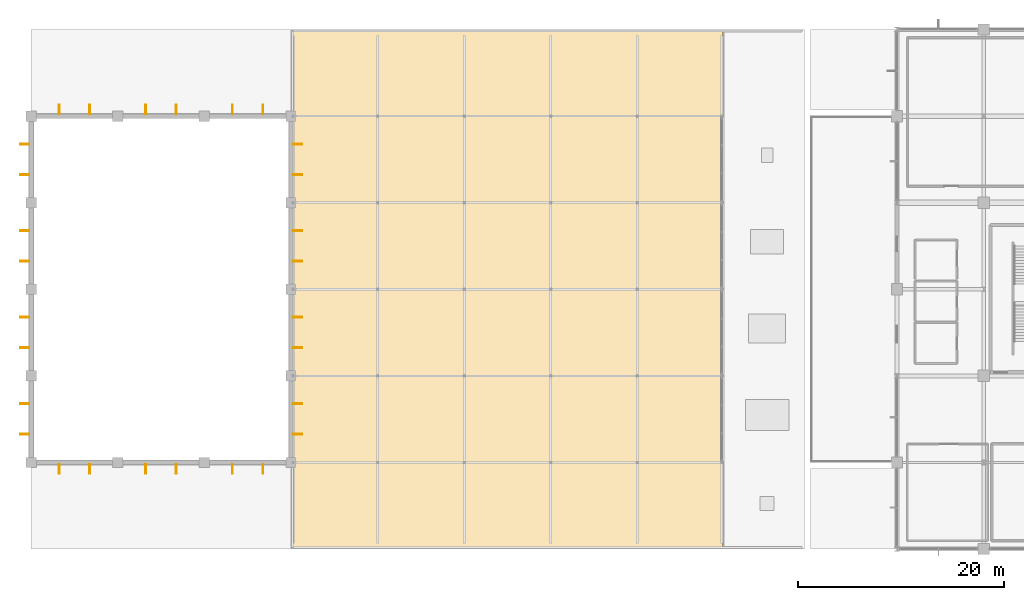
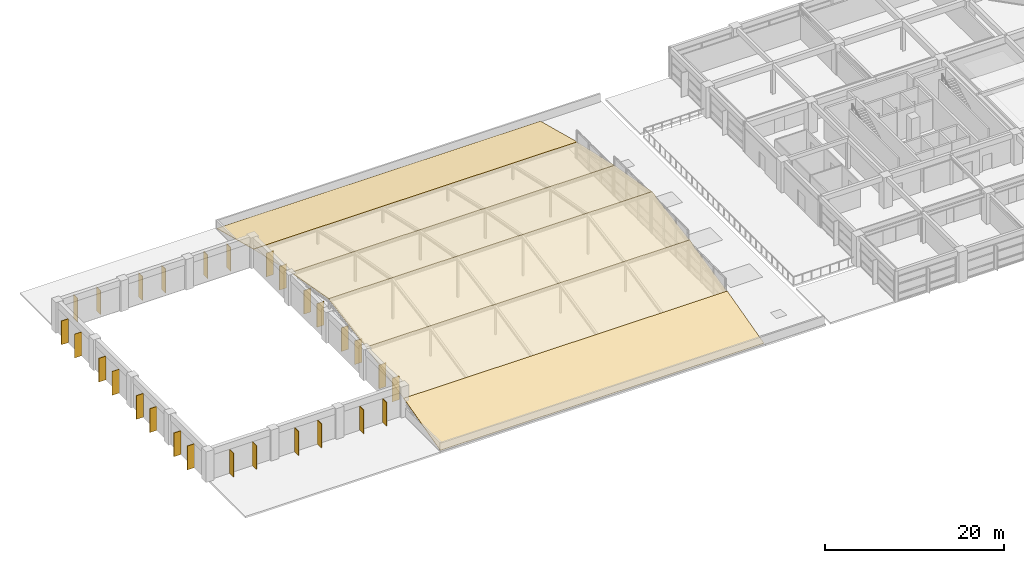
# One storey, part 33 of 34: 28 shading devices, 6 coverings.
"""IFC4 building model written with IfcOpenShell, lengths in metres."""

from ifc_helpers import new_model, si_unit, direction, frame, origin, origin_2d, place, context, subcontext, project, spatial, polyline, rectangle, outline, extrude, material, layer, layer_set, type_object, element, save


model = new_model("IFC4")

# Units and contexts
model_context = context("Model", 3, precision=1e-05, world=origin(), true_north=direction((0.0, 1.0)))
body_context = subcontext(model_context, "Body", "Model", "MODEL_VIEW")
ifc_project = project(units=[si_unit("LENGTHUNIT", "METRE"), si_unit("AREAUNIT", "SQUARE_METRE"), si_unit("VOLUMEUNIT", "CUBIC_METRE"), si_unit("PLANEANGLEUNIT", "RADIAN"), si_unit("MASSUNIT", "GRAM", prefix="KILO")], contexts=[model_context])

# Site, building, storey
site_placement = place(None, origin())
site = spatial("IfcSite", under=ifc_project, at=site_placement, CompositionType="ELEMENT")
building_placement = place(site_placement, origin())
building = spatial("IfcBuilding", under=site, at=building_placement, Name="Xuanlan Plaza Opera House", CompositionType="ELEMENT")
storey_placement = place(building_placement, frame((0.0, 0.0, 27.89990234375)))
storey = spatial("IfcBuildingStorey", under=building, at=storey_placement, Name="L06", CompositionType="ELEMENT", Elevation=27.89990234375)

# Coverings
ifc_material = material(Name="Anodised Aluminium 6063-T6", Category="aluminium")
ifc_layer = layer(ifc_material, 0.06005859375)
ifc_layer_set = layer_set([ifc_layer], Name="Anodised Aluminium 6063-T6")
covering_type = type_object("IfcCoveringType", Name="ENV-COV-RF01", PredefinedType="ROOFING", material=ifc_layer_set)
covering_1_placement = place(storey_placement, frame((67.300048828125, 33.800048828125, 0.06005859375), z_axis=(0.0, -0.252534477665, 0.967587896571), x_axis=(1.0, 0.0, 0.0)))
element("IfcCovering", 1, at=covering_1_placement, inside=storey, type_object=covering_type, Name="Auditorium Parabolic Silver-Champagne Shell Vault Facet 01", PredefinedType="ROOFING", context=body_context, shape_type="SweptSolid", body=[
    extrude(outline(polyline([(0.0, 0.0), (41.800048828, 0.0), (41.800048828, 8.474631815), (0.0, 8.474631815), (0.0, 0.0)])), origin(), (0.0, 0.0, -1.0), 0.06005859375),
])
covering_2_placement = place(storey_placement, frame((67.300048828125, 42.0, 2.2001953125), z_axis=(0.0, -0.220608899781, 0.975362349764), x_axis=(1.0, 0.0, 0.0)))
element("IfcCovering", 2, at=covering_2_placement, inside=storey, type_object=covering_type, Name="Auditorium Parabolic Silver-Champagne Shell Vault Facet 02", PredefinedType="ROOFING", context=body_context, shape_type="SweptSolid", body=[
    extrude(outline(polyline([(0.0, 0.0), (41.800048828, 0.0), (41.800048828, 8.612083854), (0.0, 8.612083854), (0.0, 0.0)])), origin(), (0.0, 0.0, -1.0), 0.06005859375),
])
covering_3_placement = place(storey_placement, frame((67.300048828125, 50.39990234375, 4.10009765625), z_axis=(0.0, -0.17578766772, 0.984428105997), x_axis=(1.0, 0.0, 0.0)))
element("IfcCovering", 3, at=covering_3_placement, inside=storey, type_object=covering_type, Name="Auditorium Parabolic Silver-Champagne Shell Vault Facet 03", PredefinedType="ROOFING", context=body_context, shape_type="SweptSolid", body=[
    extrude(outline(polyline([(0.0, 0.0), (41.800048828, 0.0), (41.800048828, 8.533021795), (0.0, 8.533021795), (0.0, 0.0)])), origin(), (0.0, 0.0, -1.0), 0.06005859375),
])
covering_4_placement = place(storey_placement, frame((67.300048828125, 58.800048828125, 5.60009765625), z_axis=(0.0, 0.175792619048, 0.984427221834), x_axis=(1.0, 0.0, 0.0)))
element("IfcCovering", 4, at=covering_4_placement, inside=storey, type_object=covering_type, Name="Auditorium Parabolic Silver-Champagne Shell Vault Facet 04", PredefinedType="ROOFING", context=body_context, shape_type="SweptSolid", body=[
    extrude(outline(polyline([(0.0, 0.0), (41.800048828, 0.0), (41.800048828, 8.532781457), (0.0, 8.532781457), (0.0, 0.0)])), origin(), (0.0, 0.0, -1.0), 0.06005859375),
])
covering_5_placement = place(storey_placement, frame((67.300048828125, 67.199951171875, 4.10009765625), z_axis=(0.0, 0.220602800072, 0.975363729385), x_axis=(1.0, 0.0, 0.0)))
element("IfcCovering", 5, at=covering_5_placement, inside=storey, type_object=covering_type, Name="Auditorium Parabolic Silver-Champagne Shell Vault Facet 05", PredefinedType="ROOFING", context=body_context, shape_type="SweptSolid", body=[
    extrude(outline(polyline([(0.0, 0.0), (41.800048828, 0.0), (41.800048828, 8.612321979), (0.0, 8.612321979), (0.0, 0.0)])), origin(), (0.0, 0.0, -1.0), 0.06005859375),
])
covering_6_placement = place(storey_placement, frame((67.300048828125, 75.60009765625, 2.2001953125), z_axis=(0.0, 0.252534477665, 0.967587896571), x_axis=(1.0, 0.0, 0.0)))
element("IfcCovering", 6, at=covering_6_placement, inside=storey, type_object=covering_type, Name="Auditorium Parabolic Silver-Champagne Shell Vault Facet 06", PredefinedType="ROOFING", context=body_context, shape_type="SweptSolid", body=[
    extrude(outline(polyline([(0.0, 0.0), (41.800048828, 0.0), (41.800048828, 8.474631815), (0.0, 8.474631815), (0.0, 0.0)])), origin(), (0.0, 0.0, -1.0), 0.06005859375),
])

# Shading devices
shading_device_type = type_object("IfcShadingDeviceType", Name="ENV-SHD-BRS02", PredefinedType="JALOUSIE", material=ifc_material)
for number, where, z_axis, x_axis, name in (
    (7, (44.719970703125, 41.3701171875, 0.0302734375), (0.0, 0.0, 1.0), (0.0, -1.0, 0.0), "Fly Tower Acoustic Vertical Rib L06-0489"),
    (8, (47.679931640625, 41.3701171875, 0.0302734375), (0.0, 0.0, 1.0), (0.0, -1.0, 0.0), "Fly Tower Acoustic Vertical Rib L06-0490"),
    (9, (53.1201171875, 41.3701171875, 0.0302734375), (0.0, 0.0, 1.0), (0.0, -1.0, 0.0), "Fly Tower Acoustic Vertical Rib L06-0491"),
    (10, (56.080078125, 41.3701171875, 0.0302734375), (0.0, 0.0, 1.0), (0.0, -1.0, 0.0), "Fly Tower Acoustic Vertical Rib L06-0492"),
    (11, (61.52001953125, 41.3701171875, 0.0302734375), (0.0, 0.0, 1.0), (0.0, -1.0, 0.0), "Fly Tower Acoustic Vertical Rib L06-0493"),
    (12, (64.47998046875, 41.3701171875, 0.0302734375), (0.0, 0.0, 1.0), (0.0, -1.0, 0.0), "Fly Tower Acoustic Vertical Rib L06-0494"),
    (13, (67.830078125, 44.719970703125, 0.0302734375), (0.0, 0.0, 1.0), (1.0, 0.0, 0.0), "Fly Tower Acoustic Vertical Rib L06-0495"),
    (14, (67.830078125, 47.679931640625, 0.0302734375), (0.0, 0.0, 1.0), (1.0, 0.0, 0.0), "Fly Tower Acoustic Vertical Rib L06-0496"),
    (15, (67.830078125, 53.1201171875, 0.0302734375), (0.0, 0.0, 1.0), (1.0, 0.0, 0.0), "Fly Tower Acoustic Vertical Rib L06-0497"),
    (16, (67.830078125, 56.080078125, 0.0302734375), (0.0, 0.0, 1.0), (1.0, 0.0, 0.0), "Fly Tower Acoustic Vertical Rib L06-0498"),
    (17, (67.830078125, 61.52001953125, 0.0302734375), (0.0, 0.0, 1.0), (1.0, 0.0, 0.0), "Fly Tower Acoustic Vertical Rib L06-0499"),
    (18, (67.830078125, 64.47998046875, 0.0302734375), (0.0, 0.0, 1.0), (1.0, 0.0, 0.0), "Fly Tower Acoustic Vertical Rib L06-0500"),
    (19, (67.830078125, 69.919921875, 0.0302734375), (0.0, 0.0, 1.0), (1.0, 0.0, 0.0), "Fly Tower Acoustic Vertical Rib L06-0501"),
    (20, (67.830078125, 72.8798828125, 0.0302734375), (0.0, 0.0, 1.0), (1.0, 0.0, 0.0), "Fly Tower Acoustic Vertical Rib L06-0502"),
    (21, (64.47998046875, 76.22998046875, 0.0302734375), (0.0, 0.0, 1.0), (0.0, 1.0, 0.0), "Fly Tower Acoustic Vertical Rib L06-0503"),
    (22, (61.52001953125, 76.22998046875, 0.0302734375), (0.0, 0.0, 1.0), (0.0, 1.0, 0.0), "Fly Tower Acoustic Vertical Rib L06-0504"),
    (23, (56.080078125, 76.22998046875, 0.0302734375), (0.0, 0.0, 1.0), (0.0, 1.0, 0.0), "Fly Tower Acoustic Vertical Rib L06-0505"),
    (24, (53.1201171875, 76.22998046875, 0.0302734375), (0.0, 0.0, 1.0), (0.0, 1.0, 0.0), "Fly Tower Acoustic Vertical Rib L06-0506"),
    (25, (47.679931640625, 76.22998046875, 0.0302734375), (0.0, 0.0, 1.0), (0.0, 1.0, 0.0), "Fly Tower Acoustic Vertical Rib L06-0507"),
    (26, (44.719970703125, 76.22998046875, 0.0302734375), (0.0, 0.0, 1.0), (0.0, 1.0, 0.0), "Fly Tower Acoustic Vertical Rib L06-0508"),
    (27, (41.3701171875, 72.8798828125, 0.0302734375), (0.0, 0.0, 1.0), (-1.0, 0.0, 0.0), "Fly Tower Acoustic Vertical Rib L06-0509"),
    (28, (41.3701171875, 69.919921875, 0.0302734375), (0.0, 0.0, 1.0), (-1.0, 0.0, 0.0), "Fly Tower Acoustic Vertical Rib L06-0510"),
    (29, (41.3701171875, 64.47998046875, 0.0302734375), (0.0, 0.0, 1.0), (-1.0, 0.0, 0.0), "Fly Tower Acoustic Vertical Rib L06-0511"),
    (30, (41.3701171875, 61.52001953125, 0.0302734375), (0.0, 0.0, 1.0), (-1.0, 0.0, 0.0), "Fly Tower Acoustic Vertical Rib L06-0512"),
    (31, (41.3701171875, 56.080078125, 0.0302734375), (0.0, 0.0, 1.0), (-1.0, 0.0, 0.0), "Fly Tower Acoustic Vertical Rib L06-0513"),
    (32, (41.3701171875, 53.1201171875, 0.0302734375), (0.0, 0.0, 1.0), (-1.0, 0.0, 0.0), "Fly Tower Acoustic Vertical Rib L06-0514"),
    (33, (41.3701171875, 47.679931640625, 0.0302734375), (0.0, 0.0, 1.0), (-1.0, 0.0, 0.0), "Fly Tower Acoustic Vertical Rib L06-0515"),
    (34, (41.3701171875, 44.719970703125, 0.0302734375), (0.0, 0.0, 1.0), (-1.0, 0.0, 0.0), "Fly Tower Acoustic Vertical Rib L06-0516"),
):
    element("IfcShadingDevice", number, at=place(storey_placement, frame(where, z_axis=z_axis, x_axis=x_axis)), inside=storey, type_object=shading_device_type, Name=name, PredefinedType="JALOUSIE", context=body_context, shape_type="SweptSolid", body=[
        extrude(rectangle(XDim=0.919921875, YDim=0.080078125, at=origin_2d()), origin(), (0.0, 0.0, 1.0), 3.239990234375),
    ])

save(model, "model.ifc")
